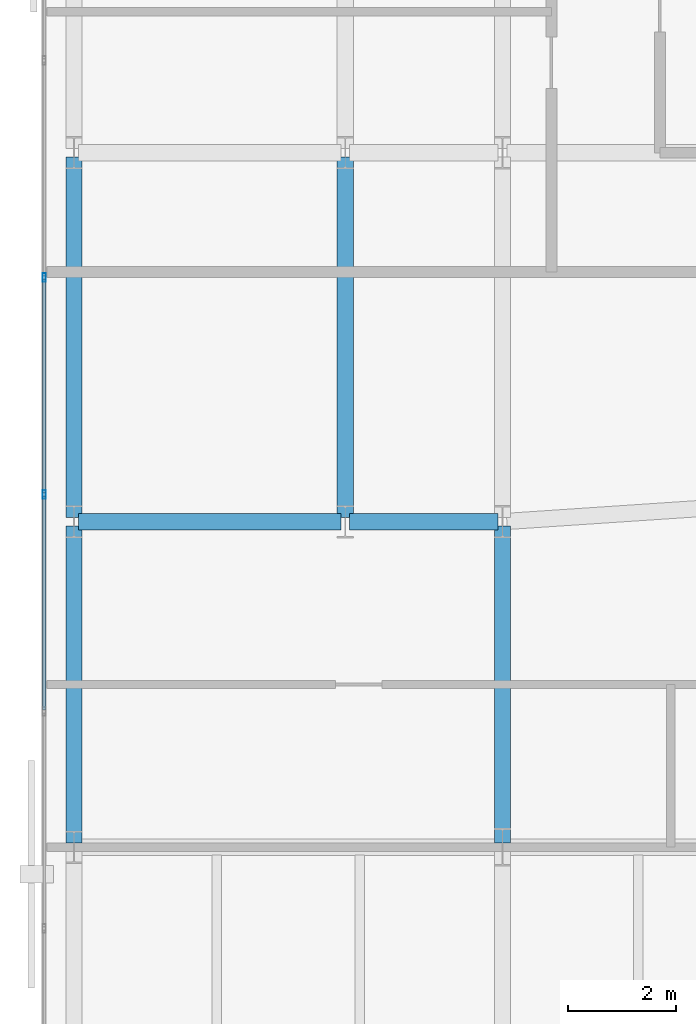
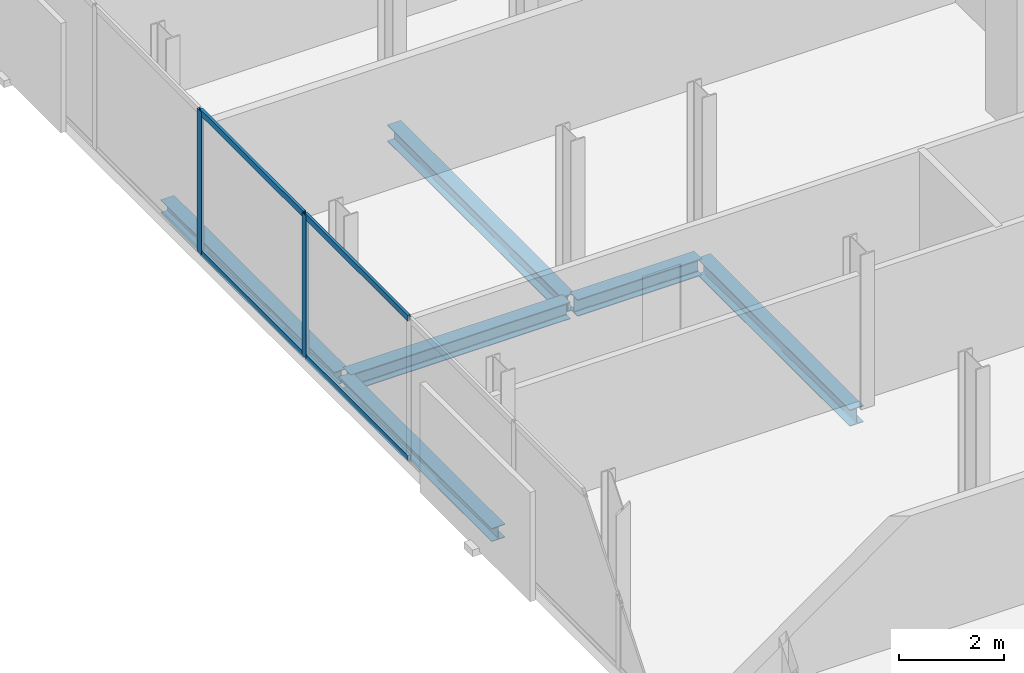
# One storey, part 9 of 32: 6 beams, 6 members, 1 element without a shape of its own.
"""IFC4 building model written with IfcOpenShell, lengths in metres."""

from ifc_helpers import new_model, si_unit, direction, frame, origin, origin_2d, place, context, subcontext, project, spatial, hollow_rectangle, i_section, extrude, material, layer, layer_set, material_profile, profile_set, type_object, element, aggregate, save


model = new_model("IFC4")

# Units and contexts
model_context = context("Model", 3, precision=1e-05, world=origin(), true_north=direction((0.0, 1.0)))
body_context = subcontext(model_context, "Body", "Model", "MODEL_VIEW")
ifc_project = project(units=[si_unit("LENGTHUNIT", "METRE"), si_unit("AREAUNIT", "SQUARE_METRE"), si_unit("VOLUMEUNIT", "CUBIC_METRE"), si_unit("PLANEANGLEUNIT", "RADIAN"), si_unit("MASSUNIT", "GRAM", prefix="KILO")], contexts=[model_context])

# Site, building, storey
site_placement = place(None, origin())
site = spatial("IfcSite", under=ifc_project, at=site_placement, CompositionType="ELEMENT")
building_placement = place(site_placement, origin())
building = spatial("IfcBuilding", under=site, at=building_placement, Name="Catumbela Crestline Tower", CompositionType="ELEMENT")
storey_placement = place(building_placement, frame((0.0, 0.0, 136.8)))
storey = spatial("IfcBuildingStorey", under=building, at=storey_placement, Name="L35", CompositionType="ELEMENT", Elevation=136.8)

# Beams
ifc_material_1 = material(Name="Structural steel S355J2", Category="steel")
ifc_material_profile_1 = material_profile(ifc_material_1, i_section(OverallWidth=0.3, OverallDepth=0.39, WebThickness=0.011, FlangeThickness=0.019, FilletRadius=0.027, at=origin_2d()), Name="HEA 400")
ifc_profile_set_1 = profile_set([ifc_material_profile_1], Name="Structural steel S355J2")
beam_type_1 = type_object("IfcBeamType", Name="BG-HEA400", PredefinedType="BEAM", material=ifc_profile_set_1)
beam_1_placement = place(storey_placement, frame((0.68, 24.0, -0.455), z_axis=(1.0, 0.0, 0.0), x_axis=(0.0, 1.0, 0.0)))
element("IfcBeam", 1, at=beam_1_placement, inside=storey, type_object=beam_type_1, Name="L35 Beam BM-L35-S01", PredefinedType="BEAM", context=body_context, shape_type="SweptSolid", body=[
    extrude(i_section(OverallWidth=0.3, OverallDepth=0.39, WebThickness=0.011, FlangeThickness=0.019, FilletRadius=0.027, at=origin_2d()), origin(), (0.0, 0.0, 1.0), 4.84),
])
beam_2_placement = place(storey_placement, frame((5.68, 24.0, -0.455), z_axis=(1.0, 0.0, 0.0), x_axis=(0.0, 1.0, 0.0)))
element("IfcBeam", 2, at=beam_2_placement, inside=storey, type_object=beam_type_1, Name="L35 Beam BM-L35-S02", PredefinedType="BEAM", context=body_context, shape_type="SweptSolid", body=[
    extrude(i_section(OverallWidth=0.3, OverallDepth=0.39, WebThickness=0.011, FlangeThickness=0.019, FilletRadius=0.027, at=origin_2d()), origin(), (0.0, 0.0, 1.0), 2.74),
])
beam_3_placement = place(storey_placement, frame((5.6, 24.08, -0.455), z_axis=(0.0, 1.0, 0.0), x_axis=(-1.0, 0.0, 0.0)))
element("IfcBeam", 3, at=beam_3_placement, inside=storey, type_object=beam_type_1, Name="L35 Beam BM-L35-SN24", PredefinedType="BEAM", context=body_context, shape_type="SweptSolid", body=[
    extrude(i_section(OverallWidth=0.3, OverallDepth=0.39, WebThickness=0.011, FlangeThickness=0.019, FilletRadius=0.027, at=origin_2d()), origin(), (0.0, 0.0, 1.0), 6.64),
])
beam_4_placement = place(storey_placement, frame((8.5, 18.08, -0.455), z_axis=(0.0, 1.0, 0.0), x_axis=(-1.0, 0.0, 0.0)))
element("IfcBeam", 4, at=beam_4_placement, inside=storey, type_object=beam_type_1, Name="L35 Beam BM-L35-WNS57", PredefinedType="BEAM", context=body_context, shape_type="SweptSolid", body=[
    extrude(i_section(OverallWidth=0.3, OverallDepth=0.39, WebThickness=0.011, FlangeThickness=0.019, FilletRadius=0.027, at=origin_2d()), origin(), (0.0, 0.0, 1.0), 5.84),
])

# Curtain wall, members
ifc_material_2 = material(Name="Aluminium alloy AW-6060-T66", Category="aluminium")
ifc_layer = layer(ifc_material_2, 0.18, Name="Aluminium alloy AW-6060-T66")
ifc_layer_set = layer_set([ifc_layer], Name="Aluminium alloy AW-6060-T66")
curtain_wall_type = type_object("IfcCurtainWallType", Name="CWU-Z2", PredefinedType="USERDEFINED", material=ifc_layer_set)
curtain_wall_placement = place(storey_placement, origin())
curtain_wall = element("IfcCurtainWall", 5, at=curtain_wall_placement, inside=storey, type_object=curtain_wall_type, Name="L35 Unitised Curtain Wall CW-L35-E9S1", ObjectType="UNITISED", PredefinedType="USERDEFINED")
ifc_material_profile_2 = material_profile(ifc_material_2, hollow_rectangle(XDim=0.06, YDim=0.16, WallThickness=0.004, at=origin_2d()), Name="ALU 160x60x4")
ifc_profile_set_2 = profile_set([ifc_material_profile_2], Name="Aluminium alloy AW-6060-T66")
member_type_1 = type_object("IfcMemberType", Name="MUL-160X60", PredefinedType="MULLION", material=ifc_profile_set_2)
member_1_placement = place(storey_placement, frame((0.05, 28.5, 0.0), z_axis=(0.0, 0.0, 1.0), x_axis=(1.0, 0.0, 0.0)))
member_1 = element("IfcMember", 6, at=member_1_placement, type_object=member_type_1, Name="CWU-Z2 mullion 5", PredefinedType="MULLION", context=body_context, shape_type="SweptSolid", body=[
    extrude(hollow_rectangle(XDim=0.06, YDim=0.16, WallThickness=0.004, at=origin_2d()), origin(), (0.0, 0.0, 1.0), 3.33),
])
member_2_placement = place(storey_placement, frame((0.05, 24.5, 0.0), z_axis=(0.0, 0.0, 1.0), x_axis=(1.0, 0.0, 0.0)))
member_2 = element("IfcMember", 7, at=member_2_placement, type_object=member_type_1, Name="CWU-Z2 mullion 6", PredefinedType="MULLION", context=body_context, shape_type="SweptSolid", body=[
    extrude(hollow_rectangle(XDim=0.06, YDim=0.16, WallThickness=0.004, at=origin_2d()), origin(), (0.0, 0.0, 1.0), 3.33),
])

# Beams
ifc_material_profile_3 = material_profile(ifc_material_1, i_section(OverallWidth=0.3, OverallDepth=0.31, WebThickness=0.009, FlangeThickness=0.0155, FilletRadius=0.027, at=origin_2d()), Name="HEA 320")
ifc_profile_set_3 = profile_set([ifc_material_profile_3], Name="Structural steel S355J2")
beam_type_2 = type_object("IfcBeamType", Name="BS-HEA320", PredefinedType="SPANDREL", material=ifc_profile_set_3)
beam_5_placement = place(storey_placement, frame((0.6, 24.08, -0.415), z_axis=(0.0, 1.0, 0.0), x_axis=(-1.0, 0.0, 0.0)))
element("IfcBeam", 8, at=beam_5_placement, inside=storey, type_object=beam_type_2, Name="L35 Spandrel SP-L35-SN22", PredefinedType="SPANDREL", context=body_context, shape_type="SweptSolid", body=[
    extrude(i_section(OverallWidth=0.3, OverallDepth=0.31, WebThickness=0.009, FlangeThickness=0.0155, FilletRadius=0.027, at=origin_2d()), origin(), (0.0, 0.0, 1.0), 6.64),
])
beam_6_placement = place(storey_placement, frame((0.6, 18.08, -0.415), z_axis=(0.0, 1.0, 0.0), x_axis=(-1.0, 0.0, 0.0)))
element("IfcBeam", 9, at=beam_6_placement, inside=storey, type_object=beam_type_2, Name="L35 Spandrel SP-L35-WNS54", PredefinedType="SPANDREL", context=body_context, shape_type="SweptSolid", body=[
    extrude(i_section(OverallWidth=0.3, OverallDepth=0.31, WebThickness=0.009, FlangeThickness=0.0155, FilletRadius=0.027, at=origin_2d()), origin(), (0.0, 0.0, 1.0), 5.84),
])

# Member
ifc_material_profile_4 = material_profile(ifc_material_2, hollow_rectangle(XDim=0.06, YDim=0.14, WallThickness=0.004, at=origin_2d()), Name="ALU 140x60x4")
ifc_profile_set_4 = profile_set([ifc_material_profile_4], Name="Aluminium alloy AW-6060-T66")
member_type_2 = type_object("IfcMemberType", Name="TRN-140X60", PredefinedType="USERDEFINED", material=ifc_profile_set_4)
member_3_placement = place(storey_placement, frame((0.05, 28.4675, 0.03), z_axis=(0.0, -1.0, 0.0), x_axis=(1.0, 0.0, 0.0)))
member_3 = element("IfcMember", 10, at=member_3_placement, type_object=member_type_2, Name="CWU-Z2 transom 5.1", ObjectType="TRANSOM", PredefinedType="USERDEFINED", context=body_context, shape_type="SweptSolid", body=[
    extrude(hollow_rectangle(XDim=0.06, YDim=0.14, WallThickness=0.004, at=origin_2d()), origin(), (0.0, 0.0, 1.0), 3.935),
])

member_4_placement = place(storey_placement, frame((0.05, 28.4675, 3.3), z_axis=(0.0, -1.0, 0.0), x_axis=(1.0, 0.0, 0.0)))
member_4 = element("IfcMember", 11, at=member_4_placement, type_object=member_type_2, Name="CWU-Z2 transom 5.2", ObjectType="TRANSOM", PredefinedType="USERDEFINED", context=body_context, shape_type="SweptSolid", body=[
    extrude(hollow_rectangle(XDim=0.06, YDim=0.14, WallThickness=0.004, at=origin_2d()), origin(), (0.0, 0.0, 1.0), 3.935),
])

member_5_placement = place(storey_placement, frame((0.05, 24.4675, 0.03), z_axis=(0.0, -1.0, 0.0), x_axis=(1.0, 0.0, 0.0)))
member_5 = element("IfcMember", 12, at=member_5_placement, type_object=member_type_2, Name="CWU-Z2 transom 6.1", ObjectType="TRANSOM", PredefinedType="USERDEFINED", context=body_context, shape_type="SweptSolid", body=[
    extrude(hollow_rectangle(XDim=0.06, YDim=0.14, WallThickness=0.004, at=origin_2d()), origin(), (0.0, 0.0, 1.0), 3.935),
])

member_6_placement = place(storey_placement, frame((0.05, 24.4675, 3.3), z_axis=(0.0, -1.0, 0.0), x_axis=(1.0, 0.0, 0.0)))
member_6 = element("IfcMember", 13, at=member_6_placement, type_object=member_type_2, Name="CWU-Z2 transom 6.2", ObjectType="TRANSOM", PredefinedType="USERDEFINED", context=body_context, shape_type="SweptSolid", body=[
    extrude(hollow_rectangle(XDim=0.06, YDim=0.14, WallThickness=0.004, at=origin_2d()), origin(), (0.0, 0.0, 1.0), 3.935),
])

aggregate(curtain_wall, [member_1, member_2, member_3, member_4, member_5, member_6])

save(model, "model.ifc")
